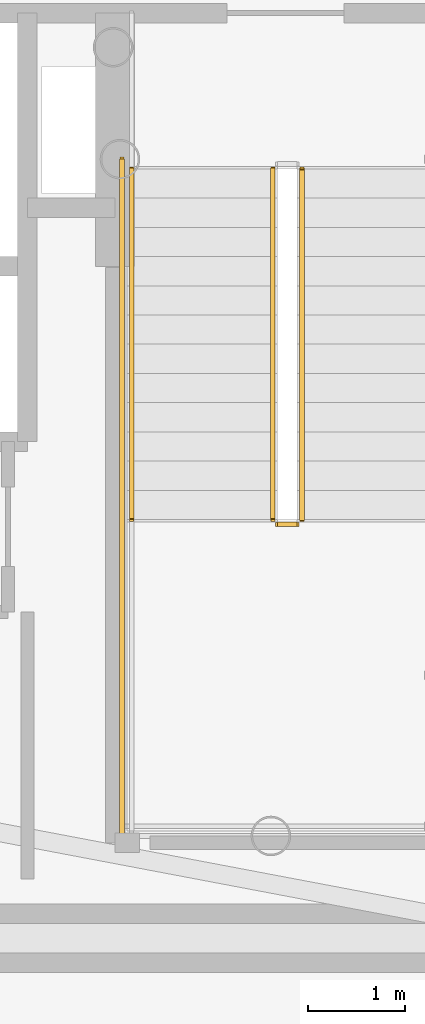
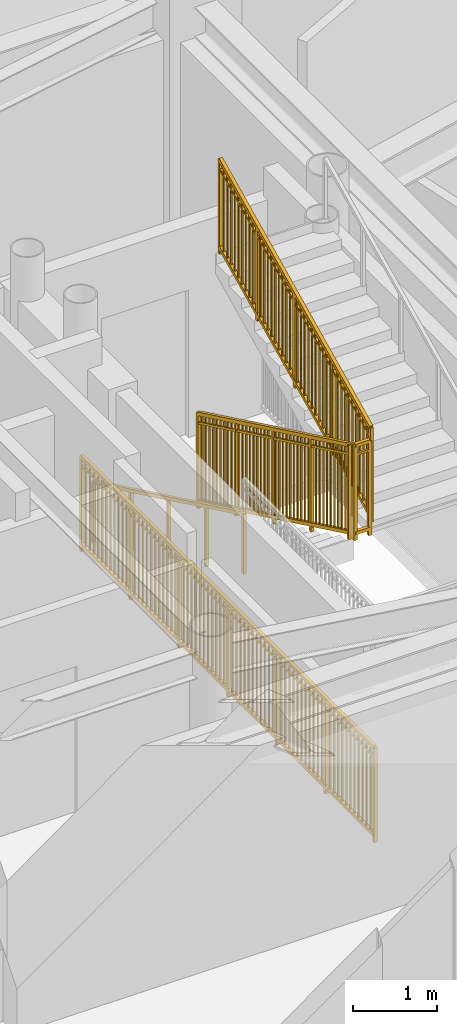
# One storey, part 15 of 18: 5 railings.
"""IFC4 building model written with IfcOpenShell, lengths in metres."""

from ifc_helpers import new_model, si_unit, direction, frame, origin, origin_2d, place, context, subcontext, project, spatial, rectangle, extrude, source, transform, mapped, material, type_object, element, save


model = new_model("IFC4")

# Units and contexts
model_context = context("Model", 3, precision=1e-05, world=origin(), true_north=direction((0.0, 1.0)))
body_context = subcontext(model_context, "Body", "Model", "MODEL_VIEW")
ifc_project = project(units=[si_unit("LENGTHUNIT", "METRE"), si_unit("AREAUNIT", "SQUARE_METRE"), si_unit("VOLUMEUNIT", "CUBIC_METRE"), si_unit("PLANEANGLEUNIT", "RADIAN"), si_unit("MASSUNIT", "GRAM", prefix="KILO")], contexts=[model_context])

# Site, building, storey
site_placement = place(None, origin())
site = spatial("IfcSite", under=ifc_project, at=site_placement, CompositionType="ELEMENT")
building_placement = place(site_placement, origin())
building = spatial("IfcBuilding", under=site, at=building_placement, Name="Linh Dai School and Residence Tower", CompositionType="ELEMENT")
storey_placement = place(building_placement, frame((0.0, 0.0, 240.300048828125)))
storey = spatial("IfcBuildingStorey", under=building, at=storey_placement, Name="L59", CompositionType="ELEMENT", Elevation=240.300048828125)

# Railings
ifc_material_1 = material(Name="Structural Steel S355JR", Category="steel")
railing_type_1 = type_object("IfcRailingType", Name="RL-ST-GUARD-1400", PredefinedType="GUARDRAIL", material=ifc_material_1)
shared_shape_1 = source(origin(), body_context, "Body", "SweptSolid", [
    extrude(rectangle(XDim=0.048095703125, YDim=0.048095703125, at=origin_2d()), frame((0.0, 0.0, 1.3759765625), z_axis=(0.0, 0.901262522062, 0.433273431364), x_axis=(-1.0, 0.0, 0.0)), (0.0, 0.0, 1.0), 3.994384765625),
    extrude(rectangle(XDim=0.048095703125, YDim=0.048095703125, at=origin_2d()), frame((0.0, 0.0, 0.10009765625), z_axis=(0.0, 0.901262522062, 0.433273431364), x_axis=(-1.0, 0.0, 0.0)), (0.0, 0.0, 1.0), 3.994384765625),
    extrude(rectangle(XDim=0.030029296875, YDim=0.030029296875, at=origin_2d()), frame((0.0, 0.0, 1.239990234375), z_axis=(0.0, 0.901262522062, 0.433273431364), x_axis=(-1.0, 0.0, 0.0)), (0.0, 0.0, 1.0), 3.994384765625),
    extrude(rectangle(XDim=0.02001953125, YDim=0.02001953125, at=origin_2d()), frame((0.0, 0.087890625, 0.142333984375)), (0.0, 0.0, 1.0), 1.251708984375),
    extrude(rectangle(XDim=0.02001953125, YDim=0.02001953125, at=origin_2d()), frame((0.0, 0.175537109375, 0.1845703125)), (0.0, 0.0, 1.0), 1.251708984375),
    extrude(rectangle(XDim=0.02001953125, YDim=0.02001953125, at=origin_2d()), frame((0.0, 0.263427734375, 0.226806640625)), (0.0, 0.0, 1.0), 1.251708984375),
    extrude(rectangle(XDim=0.02001953125, YDim=0.02001953125, at=origin_2d()), frame((0.0, 0.351318359375, 0.26904296875)), (0.0, 0.0, 1.0), 1.251708984375),
    extrude(rectangle(XDim=0.02001953125, YDim=0.02001953125, at=origin_2d()), frame((0.0, 0.43896484375, 0.311279296875)), (0.0, 0.0, 1.0), 1.251708984375),
    extrude(rectangle(XDim=0.02001953125, YDim=0.02001953125, at=origin_2d()), frame((0.0, 0.52685546875, 0.353271484375)), (0.0, 0.0, 1.0), 1.251708984375),
    extrude(rectangle(XDim=0.02001953125, YDim=0.02001953125, at=origin_2d()), frame((0.0, 0.61474609375, 0.3955078125)), (0.0, 0.0, 1.0), 1.251708984375),
    extrude(rectangle(XDim=0.02001953125, YDim=0.02001953125, at=origin_2d()), frame((0.0, 0.702392578125, 0.437744140625)), (0.0, 0.0, 1.0), 1.251708984375),
    extrude(rectangle(XDim=0.02001953125, YDim=0.02001953125, at=origin_2d()), frame((0.0, 0.790283203125, 0.47998046875)), (0.0, 0.0, 1.0), 1.251708984375),
    extrude(rectangle(XDim=0.02001953125, YDim=0.02001953125, at=origin_2d()), frame((0.0, 0.9658203125, 0.564453125)), (0.0, 0.0, 1.0), 1.251708984375),
    extrude(rectangle(XDim=0.02001953125, YDim=0.02001953125, at=origin_2d()), frame((0.0, 1.0537109375, 0.606689453125)), (0.0, 0.0, 1.0), 1.251708984375),
    extrude(rectangle(XDim=0.02001953125, YDim=0.02001953125, at=origin_2d()), frame((0.0, 1.1416015625, 0.64892578125)), (0.0, 0.0, 1.0), 1.251708984375),
    extrude(rectangle(XDim=0.02001953125, YDim=0.02001953125, at=origin_2d()), frame((0.0, 1.229248046875, 0.691162109375)), (0.0, 0.0, 1.0), 1.251708984375),
    extrude(rectangle(XDim=0.02001953125, YDim=0.02001953125, at=origin_2d()), frame((0.0, 1.317138671875, 0.7333984375)), (0.0, 0.0, 1.0), 1.251708984375),
    extrude(rectangle(XDim=0.02001953125, YDim=0.02001953125, at=origin_2d()), frame((0.0, 1.405029296875, 0.775390625)), (0.0, 0.0, 1.0), 1.251708984375),
    extrude(rectangle(XDim=0.02001953125, YDim=0.02001953125, at=origin_2d()), frame((0.0, 1.49267578125, 0.817626953125)), (0.0, 0.0, 1.0), 1.251708984375),
    extrude(rectangle(XDim=0.02001953125, YDim=0.02001953125, at=origin_2d()), frame((0.0, 1.58056640625, 0.85986328125)), (0.0, 0.0, 1.0), 1.251708984375),
    extrude(rectangle(XDim=0.02001953125, YDim=0.02001953125, at=origin_2d()), frame((0.0, 1.66845703125, 0.902099609375)), (0.0, 0.0, 1.0), 1.251708984375),
    extrude(rectangle(XDim=0.02001953125, YDim=0.02001953125, at=origin_2d()), frame((0.0, 1.756103515625, 0.9443359375)), (0.0, 0.0, 1.0), 1.251708984375),
    extrude(rectangle(XDim=0.02001953125, YDim=0.02001953125, at=origin_2d()), frame((0.0, 1.843994140625, 0.986572265625)), (0.0, 0.0, 1.0), 1.251708984375),
    extrude(rectangle(XDim=0.02001953125, YDim=0.02001953125, at=origin_2d()), frame((0.0, 1.931640625, 1.02880859375)), (0.0, 0.0, 1.0), 1.251708984375),
    extrude(rectangle(XDim=0.02001953125, YDim=0.02001953125, at=origin_2d()), frame((0.0, 2.01953125, 1.071044921875)), (0.0, 0.0, 1.0), 1.251708984375),
    extrude(rectangle(XDim=0.02001953125, YDim=0.02001953125, at=origin_2d()), frame((0.0, 2.107421875, 1.11328125)), (0.0, 0.0, 1.0), 1.251708984375),
    extrude(rectangle(XDim=0.02001953125, YDim=0.02001953125, at=origin_2d()), frame((0.0, 2.195068359375, 1.155517578125)), (0.0, 0.0, 1.0), 1.251708984375),
    extrude(rectangle(XDim=0.02001953125, YDim=0.02001953125, at=origin_2d()), frame((0.0, 2.282958984375, 1.197509765625)), (0.0, 0.0, 1.0), 1.251708984375),
    extrude(rectangle(XDim=0.02001953125, YDim=0.02001953125, at=origin_2d()), frame((0.0, 2.370849609375, 1.23974609375)), (0.0, 0.0, 1.0), 1.251708984375),
    extrude(rectangle(XDim=0.02001953125, YDim=0.02001953125, at=origin_2d()), frame((0.0, 2.45849609375, 1.281982421875)), (0.0, 0.0, 1.0), 1.251708984375),
    extrude(rectangle(XDim=0.02001953125, YDim=0.02001953125, at=origin_2d()), frame((0.0, 2.54638671875, 1.32421875)), (0.0, 0.0, 1.0), 1.251708984375),
    extrude(rectangle(XDim=0.02001953125, YDim=0.02001953125, at=origin_2d()), frame((0.0, 2.63427734375, 1.366455078125)), (0.0, 0.0, 1.0), 1.251708984375),
    extrude(rectangle(XDim=0.02001953125, YDim=0.02001953125, at=origin_2d()), frame((0.0, 2.809814453125, 1.450927734375)), (0.0, 0.0, 1.0), 1.251708984375),
    extrude(rectangle(XDim=0.02001953125, YDim=0.02001953125, at=origin_2d()), frame((0.0, 2.897705078125, 1.4931640625)), (0.0, 0.0, 1.0), 1.251708984375),
    extrude(rectangle(XDim=0.02001953125, YDim=0.02001953125, at=origin_2d()), frame((0.0, 2.9853515625, 1.535400390625)), (0.0, 0.0, 1.0), 1.251708984375),
    extrude(rectangle(XDim=0.02001953125, YDim=0.02001953125, at=origin_2d()), frame((0.0, 3.0732421875, 1.57763671875)), (0.0, 0.0, 1.0), 1.251708984375),
    extrude(rectangle(XDim=0.02001953125, YDim=0.02001953125, at=origin_2d()), frame((0.0, 3.1611328125, 1.61962890625)), (0.0, 0.0, 1.0), 1.251708984375),
    extrude(rectangle(XDim=0.02001953125, YDim=0.02001953125, at=origin_2d()), frame((0.0, 3.248779296875, 1.661865234375)), (0.0, 0.0, 1.0), 1.251708984375),
    extrude(rectangle(XDim=0.02001953125, YDim=0.02001953125, at=origin_2d()), frame((0.0, 3.336669921875, 1.7041015625)), (0.0, 0.0, 1.0), 1.251708984375),
    extrude(rectangle(XDim=0.02001953125, YDim=0.02001953125, at=origin_2d()), frame((0.0, 3.424560546875, 1.746337890625)), (0.0, 0.0, 1.0), 1.251708984375),
    extrude(rectangle(XDim=0.02001953125, YDim=0.02001953125, at=origin_2d()), frame((0.0, 3.51220703125, 1.78857421875)), (0.0, 0.0, 1.0), 1.251708984375),
    extrude(rectangle(XDim=0.0419921875, YDim=0.0419921875, at=origin_2d()), origin(), (0.0, 0.0, 1.0), 1.3759765625),
    extrude(rectangle(XDim=0.0419921875, YDim=0.0419921875, at=origin_2d()), frame((0.0, 0.89990234375, 0.4326171875)), (0.0, 0.0, 1.0), 1.3759765625),
    extrude(rectangle(XDim=0.0419921875, YDim=0.0419921875, at=origin_2d()), frame((0.0, 1.800048828125, 0.865234375)), (0.0, 0.0, 1.0), 1.3759765625),
    extrude(rectangle(XDim=0.0419921875, YDim=0.0419921875, at=origin_2d()), frame((0.0, 2.7001953125, 1.298095703125)), (0.0, 0.0, 1.0), 1.3759765625),
    extrude(rectangle(XDim=0.0419921875, YDim=0.0419921875, at=origin_2d()), frame((0.0, 3.60009765625, 1.730712890625)), (0.0, 0.0, 1.0), 1.3759765625),
])
railing_1_placement = place(storey_placement, frame((42.820068359375, 24.64990234375, 2.019287109375)))
element("IfcRailing", 1, at=railing_1_placement, inside=storey, type_object=railing_type_1, Name="L59 ST2 stair guard 6", PredefinedType="GUARDRAIL", context=body_context, shape_type="MappedRepresentation", body=[
    mapped(shared_shape_1, transform((0.0, 0.0, 0.0), x_axis=(1.0, 0.0, 0.0), y_axis=(0.0, 1.0, 0.0), z_axis=(0.0, 0.0, 1.0), scale=1.0)),
])
shared_shape_2 = source(origin(), body_context, "Body", "SweptSolid", [
    extrude(rectangle(XDim=0.048095703125, YDim=0.048095703125, at=origin_2d()), frame((0.0, 0.0, 1.3759765625), z_axis=(0.0, -0.901262522062, 0.433273431364), x_axis=(1.0, 0.0, 0.0)), (0.0, 0.0, 1.0), 3.994384765625),
    extrude(rectangle(XDim=0.048095703125, YDim=0.048095703125, at=origin_2d()), frame((0.0, 0.0, 0.10009765625), z_axis=(0.0, -0.901262522062, 0.433273431364), x_axis=(1.0, 0.0, 0.0)), (0.0, 0.0, 1.0), 3.994384765625),
    extrude(rectangle(XDim=0.030029296875, YDim=0.030029296875, at=origin_2d()), frame((0.0, 0.0, 1.239990234375), z_axis=(0.0, -0.901262522062, 0.433273431364), x_axis=(1.0, 0.0, 0.0)), (0.0, 0.0, 1.0), 3.994384765625),
    extrude(rectangle(XDim=0.02001953125, YDim=0.02001953125, at=origin_2d()), frame((0.0, -0.087890625, 0.142333984375)), (0.0, 0.0, 1.0), 1.251708984375),
    extrude(rectangle(XDim=0.02001953125, YDim=0.02001953125, at=origin_2d()), frame((0.0, -0.175537109375, 0.1845703125)), (0.0, 0.0, 1.0), 1.251708984375),
    extrude(rectangle(XDim=0.02001953125, YDim=0.02001953125, at=origin_2d()), frame((0.0, -0.263427734375, 0.226806640625)), (0.0, 0.0, 1.0), 1.251708984375),
    extrude(rectangle(XDim=0.02001953125, YDim=0.02001953125, at=origin_2d()), frame((0.0, -0.351318359375, 0.26904296875)), (0.0, 0.0, 1.0), 1.251708984375),
    extrude(rectangle(XDim=0.02001953125, YDim=0.02001953125, at=origin_2d()), frame((0.0, -0.43896484375, 0.311279296875)), (0.0, 0.0, 1.0), 1.251708984375),
    extrude(rectangle(XDim=0.02001953125, YDim=0.02001953125, at=origin_2d()), frame((0.0, -0.52685546875, 0.353271484375)), (0.0, 0.0, 1.0), 1.251708984375),
    extrude(rectangle(XDim=0.02001953125, YDim=0.02001953125, at=origin_2d()), frame((0.0, -0.61474609375, 0.3955078125)), (0.0, 0.0, 1.0), 1.251708984375),
    extrude(rectangle(XDim=0.02001953125, YDim=0.02001953125, at=origin_2d()), frame((0.0, -0.702392578125, 0.437744140625)), (0.0, 0.0, 1.0), 1.251708984375),
    extrude(rectangle(XDim=0.02001953125, YDim=0.02001953125, at=origin_2d()), frame((0.0, -0.790283203125, 0.47998046875)), (0.0, 0.0, 1.0), 1.251708984375),
    extrude(rectangle(XDim=0.02001953125, YDim=0.02001953125, at=origin_2d()), frame((0.0, -0.9658203125, 0.564453125)), (0.0, 0.0, 1.0), 1.251708984375),
    extrude(rectangle(XDim=0.02001953125, YDim=0.02001953125, at=origin_2d()), frame((0.0, -1.0537109375, 0.606689453125)), (0.0, 0.0, 1.0), 1.251708984375),
    extrude(rectangle(XDim=0.02001953125, YDim=0.02001953125, at=origin_2d()), frame((0.0, -1.1416015625, 0.64892578125)), (0.0, 0.0, 1.0), 1.251708984375),
    extrude(rectangle(XDim=0.02001953125, YDim=0.02001953125, at=origin_2d()), frame((0.0, -1.229248046875, 0.691162109375)), (0.0, 0.0, 1.0), 1.251708984375),
    extrude(rectangle(XDim=0.02001953125, YDim=0.02001953125, at=origin_2d()), frame((0.0, -1.317138671875, 0.7333984375)), (0.0, 0.0, 1.0), 1.251708984375),
    extrude(rectangle(XDim=0.02001953125, YDim=0.02001953125, at=origin_2d()), frame((0.0, -1.405029296875, 0.775390625)), (0.0, 0.0, 1.0), 1.251708984375),
    extrude(rectangle(XDim=0.02001953125, YDim=0.02001953125, at=origin_2d()), frame((0.0, -1.49267578125, 0.817626953125)), (0.0, 0.0, 1.0), 1.251708984375),
    extrude(rectangle(XDim=0.02001953125, YDim=0.02001953125, at=origin_2d()), frame((0.0, -1.58056640625, 0.85986328125)), (0.0, 0.0, 1.0), 1.251708984375),
    extrude(rectangle(XDim=0.02001953125, YDim=0.02001953125, at=origin_2d()), frame((0.0, -1.66845703125, 0.902099609375)), (0.0, 0.0, 1.0), 1.251708984375),
    extrude(rectangle(XDim=0.02001953125, YDim=0.02001953125, at=origin_2d()), frame((0.0, -1.756103515625, 0.9443359375)), (0.0, 0.0, 1.0), 1.251708984375),
    extrude(rectangle(XDim=0.02001953125, YDim=0.02001953125, at=origin_2d()), frame((0.0, -1.843994140625, 0.986572265625)), (0.0, 0.0, 1.0), 1.251708984375),
    extrude(rectangle(XDim=0.02001953125, YDim=0.02001953125, at=origin_2d()), frame((0.0, -1.931640625, 1.02880859375)), (0.0, 0.0, 1.0), 1.251708984375),
    extrude(rectangle(XDim=0.02001953125, YDim=0.02001953125, at=origin_2d()), frame((0.0, -2.01953125, 1.071044921875)), (0.0, 0.0, 1.0), 1.251708984375),
    extrude(rectangle(XDim=0.02001953125, YDim=0.02001953125, at=origin_2d()), frame((0.0, -2.107421875, 1.11328125)), (0.0, 0.0, 1.0), 1.251708984375),
    extrude(rectangle(XDim=0.02001953125, YDim=0.02001953125, at=origin_2d()), frame((0.0, -2.195068359375, 1.155517578125)), (0.0, 0.0, 1.0), 1.251708984375),
    extrude(rectangle(XDim=0.02001953125, YDim=0.02001953125, at=origin_2d()), frame((0.0, -2.282958984375, 1.197509765625)), (0.0, 0.0, 1.0), 1.251708984375),
    extrude(rectangle(XDim=0.02001953125, YDim=0.02001953125, at=origin_2d()), frame((0.0, -2.370849609375, 1.23974609375)), (0.0, 0.0, 1.0), 1.251708984375),
    extrude(rectangle(XDim=0.02001953125, YDim=0.02001953125, at=origin_2d()), frame((0.0, -2.45849609375, 1.281982421875)), (0.0, 0.0, 1.0), 1.251708984375),
    extrude(rectangle(XDim=0.02001953125, YDim=0.02001953125, at=origin_2d()), frame((0.0, -2.54638671875, 1.32421875)), (0.0, 0.0, 1.0), 1.251708984375),
    extrude(rectangle(XDim=0.02001953125, YDim=0.02001953125, at=origin_2d()), frame((0.0, -2.63427734375, 1.366455078125)), (0.0, 0.0, 1.0), 1.251708984375),
    extrude(rectangle(XDim=0.02001953125, YDim=0.02001953125, at=origin_2d()), frame((0.0, -2.809814453125, 1.450927734375)), (0.0, 0.0, 1.0), 1.251708984375),
    extrude(rectangle(XDim=0.02001953125, YDim=0.02001953125, at=origin_2d()), frame((0.0, -2.897705078125, 1.4931640625)), (0.0, 0.0, 1.0), 1.251708984375),
    extrude(rectangle(XDim=0.02001953125, YDim=0.02001953125, at=origin_2d()), frame((0.0, -2.9853515625, 1.535400390625)), (0.0, 0.0, 1.0), 1.251708984375),
    extrude(rectangle(XDim=0.02001953125, YDim=0.02001953125, at=origin_2d()), frame((0.0, -3.0732421875, 1.57763671875)), (0.0, 0.0, 1.0), 1.251708984375),
    extrude(rectangle(XDim=0.02001953125, YDim=0.02001953125, at=origin_2d()), frame((0.0, -3.1611328125, 1.61962890625)), (0.0, 0.0, 1.0), 1.251708984375),
    extrude(rectangle(XDim=0.02001953125, YDim=0.02001953125, at=origin_2d()), frame((0.0, -3.248779296875, 1.661865234375)), (0.0, 0.0, 1.0), 1.251708984375),
    extrude(rectangle(XDim=0.02001953125, YDim=0.02001953125, at=origin_2d()), frame((0.0, -3.336669921875, 1.7041015625)), (0.0, 0.0, 1.0), 1.251708984375),
    extrude(rectangle(XDim=0.02001953125, YDim=0.02001953125, at=origin_2d()), frame((0.0, -3.424560546875, 1.746337890625)), (0.0, 0.0, 1.0), 1.251708984375),
    extrude(rectangle(XDim=0.02001953125, YDim=0.02001953125, at=origin_2d()), frame((0.0, -3.51220703125, 1.78857421875)), (0.0, 0.0, 1.0), 1.251708984375),
    extrude(rectangle(XDim=0.0419921875, YDim=0.0419921875, at=origin_2d()), origin(), (0.0, 0.0, 1.0), 1.3759765625),
    extrude(rectangle(XDim=0.0419921875, YDim=0.0419921875, at=origin_2d()), frame((0.0, -0.89990234375, 0.4326171875)), (0.0, 0.0, 1.0), 1.3759765625),
    extrude(rectangle(XDim=0.0419921875, YDim=0.0419921875, at=origin_2d()), frame((0.0, -1.800048828125, 0.865234375)), (0.0, 0.0, 1.0), 1.3759765625),
    extrude(rectangle(XDim=0.0419921875, YDim=0.0419921875, at=origin_2d()), frame((0.0, -2.7001953125, 1.298095703125)), (0.0, 0.0, 1.0), 1.3759765625),
    extrude(rectangle(XDim=0.0419921875, YDim=0.0419921875, at=origin_2d()), frame((0.0, -3.60009765625, 1.730712890625)), (0.0, 0.0, 1.0), 1.3759765625),
])
railing_2_placement = place(storey_placement, frame((42.52001953125, 28.25, 0.144287109375)))
element("IfcRailing", 2, at=railing_2_placement, inside=storey, type_object=railing_type_1, Name="L59 ST2 stair guard 1", PredefinedType="GUARDRAIL", context=body_context, shape_type="MappedRepresentation", body=[
    mapped(shared_shape_2, transform((0.0, 0.0, 0.0), x_axis=(1.0, 0.0, 0.0), y_axis=(0.0, 1.0, 0.0), z_axis=(0.0, 0.0, 1.0), scale=1.0)),
])
ifc_material_2 = material(Name="Brushed Stainless Steel Handrail", Category="steel")
railing_type_2 = type_object("IfcRailingType", Name="RL-ST-HANDRAIL-900", PredefinedType="HANDRAIL", material=ifc_material_2)
shared_shape_3 = source(origin(), body_context, "Body", "SweptSolid", [
    extrude(rectangle(XDim=0.048095703125, YDim=0.048095703125, at=origin_2d()), frame((0.0, 0.0, 0.8759765625), z_axis=(0.0, -0.901262522062, 0.433273431364), x_axis=(1.0, 0.0, 0.0)), (0.0, 0.0, 1.0), 3.994384765625),
    extrude(rectangle(XDim=0.0419921875, YDim=0.0419921875, at=origin_2d()), origin(), (0.0, 0.0, 1.0), 0.8759765625),
    extrude(rectangle(XDim=0.0419921875, YDim=0.0419921875, at=origin_2d()), frame((0.0, -0.89990234375, 0.4326171875)), (0.0, 0.0, 1.0), 0.8759765625),
    extrude(rectangle(XDim=0.0419921875, YDim=0.0419921875, at=origin_2d()), frame((0.0, -1.800048828125, 0.865234375)), (0.0, 0.0, 1.0), 0.8759765625),
    extrude(rectangle(XDim=0.0419921875, YDim=0.0419921875, at=origin_2d()), frame((0.0, -2.7001953125, 1.298095703125)), (0.0, 0.0, 1.0), 0.8759765625),
    extrude(rectangle(XDim=0.0419921875, YDim=0.0419921875, at=origin_2d()), frame((0.0, -3.60009765625, 1.730712890625)), (0.0, 0.0, 1.0), 0.8759765625),
])
railing_3_placement = place(storey_placement, frame((41.070068359375, 28.25, 0.144287109375)))
element("IfcRailing", 3, at=railing_3_placement, inside=storey, type_object=railing_type_2, Name="L59 ST2 stair handrail 1", PredefinedType="HANDRAIL", context=body_context, shape_type="MappedRepresentation", body=[
    mapped(shared_shape_3, transform((0.0, 0.0, 0.0), x_axis=(1.0, 0.0, 0.0), y_axis=(0.0, 1.0, 0.0), z_axis=(0.0, 0.0, 1.0), scale=1.0)),
])
shared_shape_4 = source(origin(), body_context, "Body", "SweptSolid", [
    extrude(rectangle(XDim=0.048095703125, YDim=0.048095703125, at=origin_2d()), frame((0.0, 0.0, 1.3759765625), z_axis=(1.0, 0.0, 0.0), x_axis=(0.0, 1.0, 0.0)), (0.0, 0.0, 1.0), 0.199951171875),
    extrude(rectangle(XDim=0.048095703125, YDim=0.048095703125, at=origin_2d()), frame((0.0, 0.0, 0.10009765625), z_axis=(1.0, 0.0, 0.0), x_axis=(0.0, 1.0, 0.0)), (0.0, 0.0, 1.0), 0.199951171875),
    extrude(rectangle(XDim=0.030029296875, YDim=0.030029296875, at=origin_2d()), frame((0.0, 0.0, 1.239990234375), z_axis=(1.0, 0.0, 0.0), x_axis=(0.0, 1.0, 0.0)), (0.0, 0.0, 1.0), 0.199951171875),
    extrude(rectangle(XDim=0.0419921875, YDim=0.0419921875, at=origin_2d()), origin(), (0.0, 0.0, 1.0), 1.3759765625),
    extrude(rectangle(XDim=0.0419921875, YDim=0.0419921875, at=origin_2d()), frame((0.199951171875, 0.0, 0.0)), (0.0, 0.0, 1.0), 1.3759765625),
])
railing_4_placement = place(storey_placement, frame((42.570068359375, 24.60009765625, 1.875)))
element("IfcRailing", 4, at=railing_4_placement, inside=storey, type_object=railing_type_1, Name="L59 ST2 stair guard 2", PredefinedType="GUARDRAIL", context=body_context, shape_type="MappedRepresentation", body=[
    mapped(shared_shape_4, transform((0.0, 0.0, 0.0), x_axis=(1.0, 0.0, 0.0), y_axis=(0.0, 1.0, 0.0), z_axis=(0.0, 0.0, 1.0), scale=1.0)),
])
shared_shape_5 = source(origin(), body_context, "Body", "SweptSolid", [
    extrude(rectangle(XDim=0.048095703125, YDim=0.048095703125, at=origin_2d()), frame((0.0, 0.0, 1.3759765625), z_axis=(0.0, -1.0, 0.0), x_axis=(1.0, 0.0, 0.0)), (0.0, 0.0, 1.0), 7.0),
    extrude(rectangle(XDim=0.048095703125, YDim=0.048095703125, at=origin_2d()), frame((0.0, 0.0, 0.10009765625), z_axis=(0.0, -1.0, 0.0), x_axis=(1.0, 0.0, 0.0)), (0.0, 0.0, 1.0), 7.0),
    extrude(rectangle(XDim=0.030029296875, YDim=0.030029296875, at=origin_2d()), frame((0.0, 0.0, 1.239990234375), z_axis=(0.0, -1.0, 0.0), x_axis=(1.0, 0.0, 0.0)), (0.0, 0.0, 1.0), 7.0),
    extrude(rectangle(XDim=0.02001953125, YDim=0.02001953125, at=origin_2d()), frame((0.0, -0.09716796875, 0.10009765625)), (0.0, 0.0, 1.0), 1.251708984375),
    extrude(rectangle(XDim=0.02001953125, YDim=0.02001953125, at=origin_2d()), frame((0.0, -0.1943359375, 0.10009765625)), (0.0, 0.0, 1.0), 1.251708984375),
    extrude(rectangle(XDim=0.02001953125, YDim=0.02001953125, at=origin_2d()), frame((0.0, -0.291748046875, 0.10009765625)), (0.0, 0.0, 1.0), 1.251708984375),
    extrude(rectangle(XDim=0.02001953125, YDim=0.02001953125, at=origin_2d()), frame((0.0, -0.388916015625, 0.10009765625)), (0.0, 0.0, 1.0), 1.251708984375),
    extrude(rectangle(XDim=0.02001953125, YDim=0.02001953125, at=origin_2d()), frame((0.0, -0.486083984375, 0.10009765625)), (0.0, 0.0, 1.0), 1.251708984375),
    extrude(rectangle(XDim=0.02001953125, YDim=0.02001953125, at=origin_2d()), frame((0.0, -0.583251953125, 0.10009765625)), (0.0, 0.0, 1.0), 1.251708984375),
    extrude(rectangle(XDim=0.02001953125, YDim=0.02001953125, at=origin_2d()), frame((0.0, -0.6806640625, 0.10009765625)), (0.0, 0.0, 1.0), 1.251708984375),
    extrude(rectangle(XDim=0.02001953125, YDim=0.02001953125, at=origin_2d()), frame((0.0, -0.77783203125, 0.10009765625)), (0.0, 0.0, 1.0), 1.251708984375),
    extrude(rectangle(XDim=0.02001953125, YDim=0.02001953125, at=origin_2d()), frame((0.0, -0.875, 0.10009765625)), (0.0, 0.0, 1.0), 1.251708984375),
    extrude(rectangle(XDim=0.02001953125, YDim=0.02001953125, at=origin_2d()), frame((0.0, -0.97216796875, 0.10009765625)), (0.0, 0.0, 1.0), 1.251708984375),
    extrude(rectangle(XDim=0.02001953125, YDim=0.02001953125, at=origin_2d()), frame((0.0, -1.0693359375, 0.10009765625)), (0.0, 0.0, 1.0), 1.251708984375),
    extrude(rectangle(XDim=0.02001953125, YDim=0.02001953125, at=origin_2d()), frame((0.0, -1.263916015625, 0.10009765625)), (0.0, 0.0, 1.0), 1.251708984375),
    extrude(rectangle(XDim=0.02001953125, YDim=0.02001953125, at=origin_2d()), frame((0.0, -1.361083984375, 0.10009765625)), (0.0, 0.0, 1.0), 1.251708984375),
    extrude(rectangle(XDim=0.02001953125, YDim=0.02001953125, at=origin_2d()), frame((0.0, -1.458251953125, 0.10009765625)), (0.0, 0.0, 1.0), 1.251708984375),
    extrude(rectangle(XDim=0.02001953125, YDim=0.02001953125, at=origin_2d()), frame((0.0, -1.5556640625, 0.10009765625)), (0.0, 0.0, 1.0), 1.251708984375),
    extrude(rectangle(XDim=0.02001953125, YDim=0.02001953125, at=origin_2d()), frame((0.0, -1.65283203125, 0.10009765625)), (0.0, 0.0, 1.0), 1.251708984375),
    extrude(rectangle(XDim=0.02001953125, YDim=0.02001953125, at=origin_2d()), frame((0.0, -1.75, 0.10009765625)), (0.0, 0.0, 1.0), 1.251708984375),
    extrude(rectangle(XDim=0.02001953125, YDim=0.02001953125, at=origin_2d()), frame((0.0, -1.84716796875, 0.10009765625)), (0.0, 0.0, 1.0), 1.251708984375),
    extrude(rectangle(XDim=0.02001953125, YDim=0.02001953125, at=origin_2d()), frame((0.0, -1.9443359375, 0.10009765625)), (0.0, 0.0, 1.0), 1.251708984375),
    extrude(rectangle(XDim=0.02001953125, YDim=0.02001953125, at=origin_2d()), frame((0.0, -2.041748046875, 0.10009765625)), (0.0, 0.0, 1.0), 1.251708984375),
    extrude(rectangle(XDim=0.02001953125, YDim=0.02001953125, at=origin_2d()), frame((0.0, -2.138916015625, 0.10009765625)), (0.0, 0.0, 1.0), 1.251708984375),
    extrude(rectangle(XDim=0.02001953125, YDim=0.02001953125, at=origin_2d()), frame((0.0, -2.236083984375, 0.10009765625)), (0.0, 0.0, 1.0), 1.251708984375),
    extrude(rectangle(XDim=0.02001953125, YDim=0.02001953125, at=origin_2d()), frame((0.0, -2.4306640625, 0.10009765625)), (0.0, 0.0, 1.0), 1.251708984375),
    extrude(rectangle(XDim=0.02001953125, YDim=0.02001953125, at=origin_2d()), frame((0.0, -2.52783203125, 0.10009765625)), (0.0, 0.0, 1.0), 1.251708984375),
    extrude(rectangle(XDim=0.02001953125, YDim=0.02001953125, at=origin_2d()), frame((0.0, -2.625, 0.10009765625)), (0.0, 0.0, 1.0), 1.251708984375),
    extrude(rectangle(XDim=0.02001953125, YDim=0.02001953125, at=origin_2d()), frame((0.0, -2.72216796875, 0.10009765625)), (0.0, 0.0, 1.0), 1.251708984375),
    extrude(rectangle(XDim=0.02001953125, YDim=0.02001953125, at=origin_2d()), frame((0.0, -2.8193359375, 0.10009765625)), (0.0, 0.0, 1.0), 1.251708984375),
    extrude(rectangle(XDim=0.02001953125, YDim=0.02001953125, at=origin_2d()), frame((0.0, -2.916748046875, 0.10009765625)), (0.0, 0.0, 1.0), 1.251708984375),
    extrude(rectangle(XDim=0.02001953125, YDim=0.02001953125, at=origin_2d()), frame((0.0, -3.013916015625, 0.10009765625)), (0.0, 0.0, 1.0), 1.251708984375),
    extrude(rectangle(XDim=0.02001953125, YDim=0.02001953125, at=origin_2d()), frame((0.0, -3.111083984375, 0.10009765625)), (0.0, 0.0, 1.0), 1.251708984375),
    extrude(rectangle(XDim=0.02001953125, YDim=0.02001953125, at=origin_2d()), frame((0.0, -3.208251953125, 0.10009765625)), (0.0, 0.0, 1.0), 1.251708984375),
    extrude(rectangle(XDim=0.02001953125, YDim=0.02001953125, at=origin_2d()), frame((0.0, -3.3056640625, 0.10009765625)), (0.0, 0.0, 1.0), 1.251708984375),
    extrude(rectangle(XDim=0.02001953125, YDim=0.02001953125, at=origin_2d()), frame((0.0, -3.40283203125, 0.10009765625)), (0.0, 0.0, 1.0), 1.251708984375),
    extrude(rectangle(XDim=0.02001953125, YDim=0.02001953125, at=origin_2d()), frame((0.0, -3.59716796875, 0.10009765625)), (0.0, 0.0, 1.0), 1.251708984375),
    extrude(rectangle(XDim=0.02001953125, YDim=0.02001953125, at=origin_2d()), frame((0.0, -3.6943359375, 0.10009765625)), (0.0, 0.0, 1.0), 1.251708984375),
    extrude(rectangle(XDim=0.02001953125, YDim=0.02001953125, at=origin_2d()), frame((0.0, -3.791748046875, 0.10009765625)), (0.0, 0.0, 1.0), 1.251708984375),
    extrude(rectangle(XDim=0.02001953125, YDim=0.02001953125, at=origin_2d()), frame((0.0, -3.888916015625, 0.10009765625)), (0.0, 0.0, 1.0), 1.251708984375),
    extrude(rectangle(XDim=0.02001953125, YDim=0.02001953125, at=origin_2d()), frame((0.0, -3.986083984375, 0.10009765625)), (0.0, 0.0, 1.0), 1.251708984375),
    extrude(rectangle(XDim=0.02001953125, YDim=0.02001953125, at=origin_2d()), frame((0.0, -4.083251953125, 0.10009765625)), (0.0, 0.0, 1.0), 1.251708984375),
    extrude(rectangle(XDim=0.02001953125, YDim=0.02001953125, at=origin_2d()), frame((0.0, -4.1806640625, 0.10009765625)), (0.0, 0.0, 1.0), 1.251708984375),
    extrude(rectangle(XDim=0.02001953125, YDim=0.02001953125, at=origin_2d()), frame((0.0, -4.27783203125, 0.10009765625)), (0.0, 0.0, 1.0), 1.251708984375),
    extrude(rectangle(XDim=0.02001953125, YDim=0.02001953125, at=origin_2d()), frame((0.0, -4.375, 0.10009765625)), (0.0, 0.0, 1.0), 1.251708984375),
    extrude(rectangle(XDim=0.02001953125, YDim=0.02001953125, at=origin_2d()), frame((0.0, -4.47216796875, 0.10009765625)), (0.0, 0.0, 1.0), 1.251708984375),
    extrude(rectangle(XDim=0.02001953125, YDim=0.02001953125, at=origin_2d()), frame((0.0, -4.5693359375, 0.10009765625)), (0.0, 0.0, 1.0), 1.251708984375),
    extrude(rectangle(XDim=0.02001953125, YDim=0.02001953125, at=origin_2d()), frame((0.0, -4.763916015625, 0.10009765625)), (0.0, 0.0, 1.0), 1.251708984375),
    extrude(rectangle(XDim=0.02001953125, YDim=0.02001953125, at=origin_2d()), frame((0.0, -4.861083984375, 0.10009765625)), (0.0, 0.0, 1.0), 1.251708984375),
    extrude(rectangle(XDim=0.02001953125, YDim=0.02001953125, at=origin_2d()), frame((0.0, -4.958251953125, 0.10009765625)), (0.0, 0.0, 1.0), 1.251708984375),
    extrude(rectangle(XDim=0.02001953125, YDim=0.02001953125, at=origin_2d()), frame((0.0, -5.0556640625, 0.10009765625)), (0.0, 0.0, 1.0), 1.251708984375),
    extrude(rectangle(XDim=0.02001953125, YDim=0.02001953125, at=origin_2d()), frame((0.0, -5.15283203125, 0.10009765625)), (0.0, 0.0, 1.0), 1.251708984375),
    extrude(rectangle(XDim=0.02001953125, YDim=0.02001953125, at=origin_2d()), frame((0.0, -5.25, 0.10009765625)), (0.0, 0.0, 1.0), 1.251708984375),
    extrude(rectangle(XDim=0.02001953125, YDim=0.02001953125, at=origin_2d()), frame((0.0, -5.34716796875, 0.10009765625)), (0.0, 0.0, 1.0), 1.251708984375),
    extrude(rectangle(XDim=0.02001953125, YDim=0.02001953125, at=origin_2d()), frame((0.0, -5.4443359375, 0.10009765625)), (0.0, 0.0, 1.0), 1.251708984375),
    extrude(rectangle(XDim=0.02001953125, YDim=0.02001953125, at=origin_2d()), frame((0.0, -5.541748046875, 0.10009765625)), (0.0, 0.0, 1.0), 1.251708984375),
    extrude(rectangle(XDim=0.02001953125, YDim=0.02001953125, at=origin_2d()), frame((0.0, -5.638916015625, 0.10009765625)), (0.0, 0.0, 1.0), 1.251708984375),
    extrude(rectangle(XDim=0.02001953125, YDim=0.02001953125, at=origin_2d()), frame((0.0, -5.736083984375, 0.10009765625)), (0.0, 0.0, 1.0), 1.251708984375),
    extrude(rectangle(XDim=0.02001953125, YDim=0.02001953125, at=origin_2d()), frame((0.0, -5.9306640625, 0.10009765625)), (0.0, 0.0, 1.0), 1.251708984375),
    extrude(rectangle(XDim=0.02001953125, YDim=0.02001953125, at=origin_2d()), frame((0.0, -6.02783203125, 0.10009765625)), (0.0, 0.0, 1.0), 1.251708984375),
    extrude(rectangle(XDim=0.02001953125, YDim=0.02001953125, at=origin_2d()), frame((0.0, -6.125, 0.10009765625)), (0.0, 0.0, 1.0), 1.251708984375),
    extrude(rectangle(XDim=0.02001953125, YDim=0.02001953125, at=origin_2d()), frame((0.0, -6.22216796875, 0.10009765625)), (0.0, 0.0, 1.0), 1.251708984375),
    extrude(rectangle(XDim=0.02001953125, YDim=0.02001953125, at=origin_2d()), frame((0.0, -6.3193359375, 0.10009765625)), (0.0, 0.0, 1.0), 1.251708984375),
    extrude(rectangle(XDim=0.02001953125, YDim=0.02001953125, at=origin_2d()), frame((0.0, -6.416748046875, 0.10009765625)), (0.0, 0.0, 1.0), 1.251708984375),
    extrude(rectangle(XDim=0.02001953125, YDim=0.02001953125, at=origin_2d()), frame((0.0, -6.513916015625, 0.10009765625)), (0.0, 0.0, 1.0), 1.251708984375),
    extrude(rectangle(XDim=0.02001953125, YDim=0.02001953125, at=origin_2d()), frame((0.0, -6.611083984375, 0.10009765625)), (0.0, 0.0, 1.0), 1.251708984375),
    extrude(rectangle(XDim=0.02001953125, YDim=0.02001953125, at=origin_2d()), frame((0.0, -6.708251953125, 0.10009765625)), (0.0, 0.0, 1.0), 1.251708984375),
    extrude(rectangle(XDim=0.02001953125, YDim=0.02001953125, at=origin_2d()), frame((0.0, -6.8056640625, 0.10009765625)), (0.0, 0.0, 1.0), 1.251708984375),
    extrude(rectangle(XDim=0.02001953125, YDim=0.02001953125, at=origin_2d()), frame((0.0, -6.90283203125, 0.10009765625)), (0.0, 0.0, 1.0), 1.251708984375),
    extrude(rectangle(XDim=0.0419921875, YDim=0.0419921875, at=origin_2d()), origin(), (0.0, 0.0, 1.0), 1.3759765625),
    extrude(rectangle(XDim=0.0419921875, YDim=0.0419921875, at=origin_2d()), frame((0.0, -1.166748046875, 0.0)), (0.0, 0.0, 1.0), 1.3759765625),
    extrude(rectangle(XDim=0.0419921875, YDim=0.0419921875, at=origin_2d()), frame((0.0, -2.333251953125, 0.0)), (0.0, 0.0, 1.0), 1.3759765625),
    extrude(rectangle(XDim=0.0419921875, YDim=0.0419921875, at=origin_2d()), frame((0.0, -3.5, 0.0)), (0.0, 0.0, 1.0), 1.3759765625),
    extrude(rectangle(XDim=0.0419921875, YDim=0.0419921875, at=origin_2d()), frame((0.0, -4.666748046875, 0.0)), (0.0, 0.0, 1.0), 1.3759765625),
    extrude(rectangle(XDim=0.0419921875, YDim=0.0419921875, at=origin_2d()), frame((0.0, -5.833251953125, 0.0)), (0.0, 0.0, 1.0), 1.3759765625),
    extrude(rectangle(XDim=0.0419921875, YDim=0.0419921875, at=origin_2d()), frame((0.0, -7.0, 0.0)), (0.0, 0.0, 1.0), 1.3759765625),
])
railing_5_placement = place(storey_placement, frame((40.969970703125, 28.35009765625, 0.0)))
element("IfcRailing", 5, at=railing_5_placement, inside=storey, type_object=railing_type_1, Name="L59 ST2 stair guard 10", PredefinedType="GUARDRAIL", context=body_context, shape_type="MappedRepresentation", body=[
    mapped(shared_shape_5, transform((0.0, 0.0, 0.0), x_axis=(1.0, 0.0, 0.0), y_axis=(0.0, 1.0, 0.0), z_axis=(0.0, 0.0, 1.0), scale=1.0)),
])

save(model, "model.ifc")
